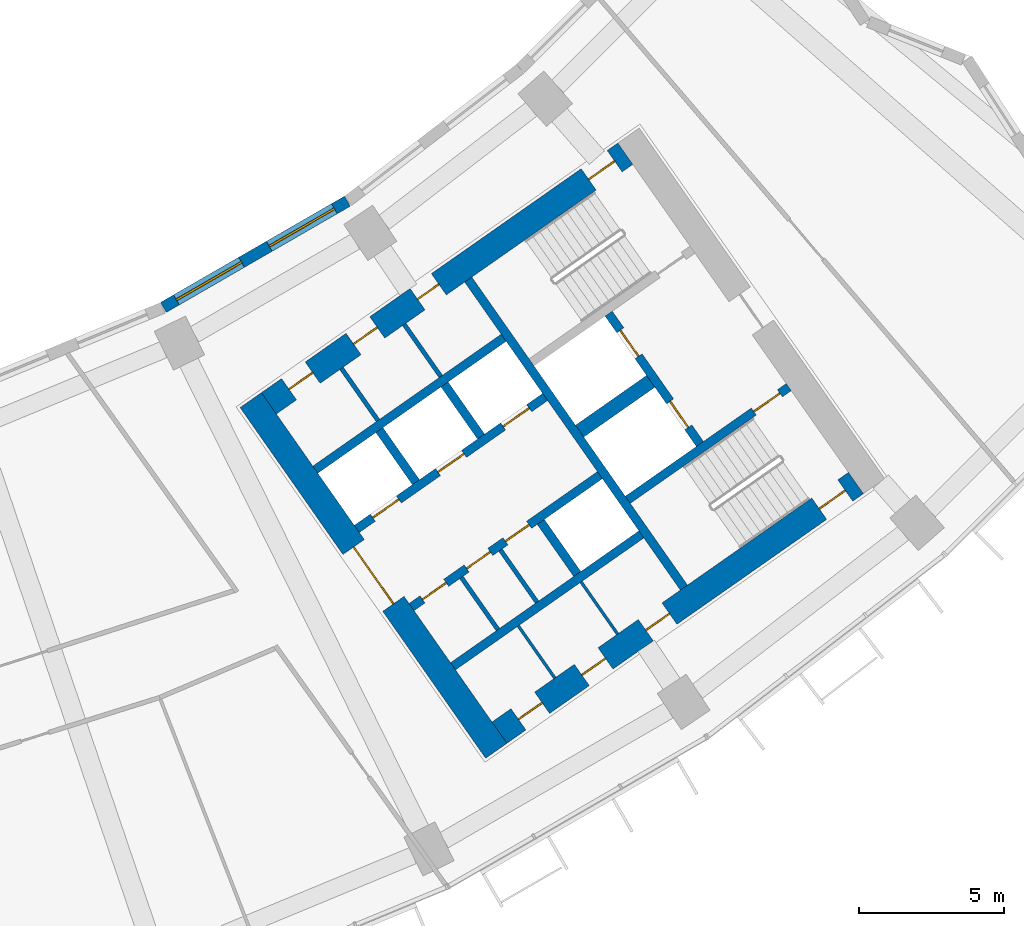
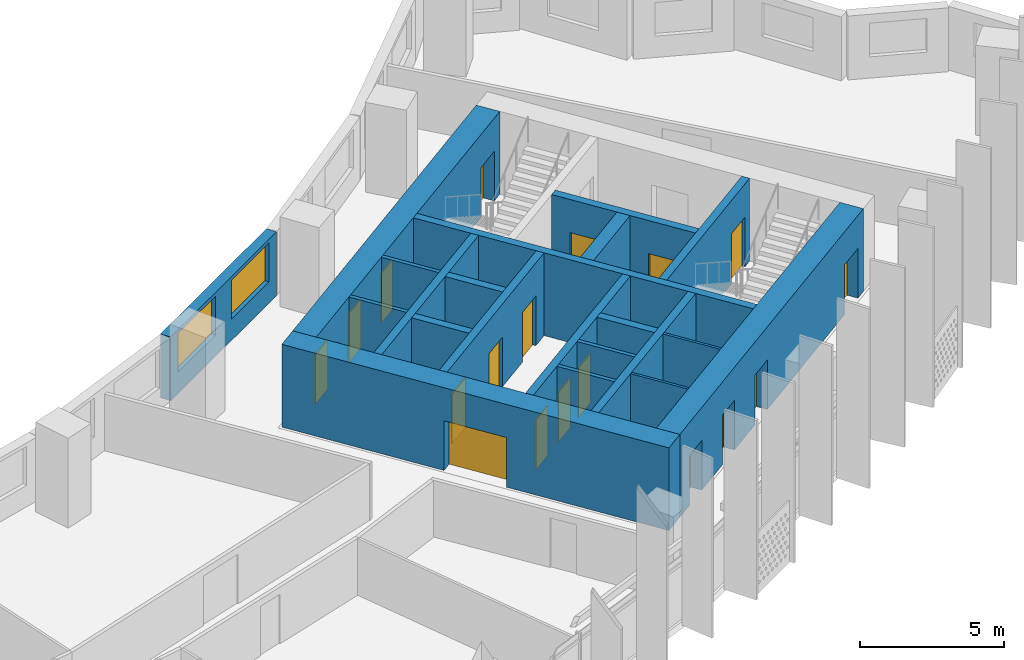
# One storey, part 7 of 30: 21 walls, 18 doors, 2 windows, 20 openings.
"""IFC4 building model written with IfcOpenShell, lengths in metres."""

from ifc_helpers import new_model, si_unit, direction, frame, frame_2d, origin, place, context, subcontext, project, spatial, rectangle, extrude, material, layer, layer_set, type_object, element, fill, save


model = new_model("IFC4")

# Units and contexts
model_context = context("Model", 3, precision=1e-05, world=origin(), true_north=direction((0.0, 1.0)))
body_context = subcontext(model_context, "Body", "Model", "MODEL_VIEW")
ifc_project = project(units=[si_unit("LENGTHUNIT", "METRE"), si_unit("AREAUNIT", "SQUARE_METRE"), si_unit("VOLUMEUNIT", "CUBIC_METRE"), si_unit("PLANEANGLEUNIT", "RADIAN"), si_unit("MASSUNIT", "GRAM", prefix="KILO")], contexts=[model_context])

# Site, building, storey
site_placement = place(None, origin())
site = spatial("IfcSite", under=ifc_project, at=site_placement, CompositionType="ELEMENT")
building_placement = place(site_placement, origin())
building = spatial("IfcBuilding", under=site, at=building_placement, Name="Qamariyya Broadcast Tower", CompositionType="ELEMENT")
storey_placement = place(building_placement, frame((0.0, 0.0, 110.10009765625)))
storey = spatial("IfcBuildingStorey", under=building, at=storey_placement, Name="L24", CompositionType="ELEMENT", Elevation=110.10009765625)

# Wall, opening, door
ifc_material_1 = material(Name="Concrete C70/85", Category="concrete")
ifc_layer_1 = layer(ifc_material_1, 0.89990234375)
ifc_layer_set_1 = layer_set([ifc_layer_1], Name="Core wall 900 mm Concrete C70/85")
wall_type_1 = type_object("IfcWallType", Name="Core wall 900 mm Concrete C70/85", PredefinedType="SHEAR", material=ifc_layer_set_1)
wall_1_placement = place(storey_placement, frame((36.716796875, -66.3369140625, 0.0), z_axis=(0.0, 0.0, 1.0), x_axis=(-0.573577477574, 0.819151315216, 0.0)))
wall_1 = element("IfcWall", 1, at=wall_1_placement, inside=storey, type_object=wall_type_1, Name="k-E-L24-WA", PredefinedType="SHEAR", context=body_context, shape_type="SweptSolid", body=[
    extrude(rectangle(XDim=14.800048828125, YDim=0.89990234375, at=frame_2d((7.39990234375, 0.0))), origin(), (0.0, 0.0, 1.0), 3.5),
])
opening_1_placement = place(wall_1_placement, frame((6.199951171875, 0.0, 0.0)))
opening_1 = element("IfcOpeningElement", 2, at=opening_1_placement, cuts=wall_1, Name="Opening KD3-E1", PredefinedType="OPENING", context=body_context, shape_type="SweptSolid", body=[
    extrude(rectangle(XDim=2.39990234375, YDim=2.10009765625, at=frame_2d((1.199951171875, 1.050048828125))), frame((0.0, 0.4599609375, 0.0), z_axis=(0.0, -1.0, 0.0), x_axis=(1.0, 0.0, 0.0)), (0.0, 0.0, 1.0), 0.919921875),
])
ifc_material_2 = material(Name="Steel fire-resisting door leaf", Category="steel")
door_type_1 = type_object("IfcDoorType", Name="Lift lobby door KD3", OperationType="DOUBLE_DOOR_SINGLE_SWING", PredefinedType="DOOR", material=ifc_material_2)
door_1_placement = place(opening_1_placement, origin())
door_1 = element("IfcDoor", 3, at=door_1_placement, inside=storey, type_object=door_type_1, Name="k-E-L24-WA-D1", OperationType="DOUBLE_DOOR_SINGLE_SWING", OverallHeight=2.10009765625, OverallWidth=2.39990234375, PredefinedType="DOOR", context=body_context, shape_type="SweptSolid", body=[
    extrude(rectangle(XDim=2.39990234375, YDim=2.10009765625, at=frame_2d((1.199951171875, 1.050048828125))), frame((0.0, 0.02490234375, 0.0), z_axis=(0.0, -1.0, 0.0), x_axis=(1.0, 0.0, 0.0)), (0.0, 0.0, 1.0), 0.050048828125),
])
fill(opening_1, door_1)

# Wall, openings, doors
wall_2_placement = place(storey_placement, frame((28.8544921875, -54.32421875, 0.0), z_axis=(0.0, 0.0, 1.0), x_axis=(0.819145767589, 0.573585400304, 0.0)))
wall_2 = element("IfcWall", 4, at=wall_2_placement, inside=storey, type_object=wall_type_1, Name="k-E-L24-WI", PredefinedType="SHEAR", context=body_context, shape_type="SweptSolid", body=[
    extrude(rectangle(XDim=15.04541015625, YDim=0.89990234375, at=frame_2d((7.522705078125, 0.0))), origin(), (0.0, 0.0, 1.0), 3.5),
])
opening_2_placement = place(wall_2_placement, frame((0.85009765625, 0.0, 0.0)))
opening_2 = element("IfcOpeningElement", 5, at=opening_2_placement, cuts=wall_2, Name="Opening KD6-E3", PredefinedType="OPENING", context=body_context, shape_type="SweptSolid", body=[
    extrude(rectangle(XDim=1.0, YDim=2.10009765625, at=frame_2d((0.5, 1.050048828125))), frame((0.0, 0.4599609375, 0.0), z_axis=(0.0, -1.0, 0.0), x_axis=(1.0, 0.0, 0.0)), (0.0, 0.0, 1.0), 0.919921875),
])
opening_3_placement = place(wall_2_placement, frame((3.574951171875, 0.0, 0.0)))
opening_3 = element("IfcOpeningElement", 6, at=opening_3_placement, cuts=wall_2, Name="Opening KD7-E1", PredefinedType="OPENING", context=body_context, shape_type="SweptSolid", body=[
    extrude(rectangle(XDim=1.0, YDim=2.10009765625, at=frame_2d((0.5, 1.050048828125))), frame((0.0, 0.4599609375, 0.0), z_axis=(0.0, -1.0, 0.0), x_axis=(1.0, 0.0, 0.0)), (0.0, 0.0, 1.0), 0.919921875),
])
opening_4_placement = place(wall_2_placement, frame((6.27490234375, 0.0, 0.0)))
opening_4 = element("IfcOpeningElement", 7, at=opening_4_placement, cuts=wall_2, Name="Opening KD5-E1", PredefinedType="OPENING", context=body_context, shape_type="SweptSolid", body=[
    extrude(rectangle(XDim=0.89990234375, YDim=2.10009765625, at=frame_2d((0.449951171875, 1.050048828125))), frame((0.0, 0.4599609375, 0.0), z_axis=(0.0, -1.0, 0.0), x_axis=(1.0, 0.0, 0.0)), (0.0, 0.0, 1.0), 0.919921875),
])
opening_5_placement = place(wall_2_placement, frame((13.495361328125, 0.0, 0.0)))
opening_5 = element("IfcOpeningElement", 8, at=opening_5_placement, cuts=wall_2, Name="Opening KD1-E1", PredefinedType="OPENING", context=body_context, shape_type="SweptSolid", body=[
    extrude(rectangle(XDim=1.10009765625, YDim=2.10009765625, at=frame_2d((0.550048828125, 1.050048828125))), frame((0.0, 0.4599609375, 0.0), z_axis=(0.0, -1.0, 0.0), x_axis=(1.0, 0.0, 0.0)), (0.0, 0.0, 1.0), 0.919921875),
])
door_type_2 = type_object("IfcDoorType", Name="Accessible toilet door KD7", OperationType="SINGLE_SWING_LEFT", PredefinedType="DOOR", material=ifc_material_2)
door_2_placement = place(opening_3_placement, origin())
door_2 = element("IfcDoor", 9, at=door_2_placement, inside=storey, type_object=door_type_2, Name="k-E-L24-WI-D9", OperationType="SINGLE_SWING_LEFT", OverallHeight=2.10009765625, OverallWidth=1.0, PredefinedType="DOOR", context=body_context, shape_type="SweptSolid", body=[
    extrude(rectangle(XDim=1.0, YDim=2.10009765625, at=frame_2d((0.5, 1.050048828125))), frame((0.0, 0.02490234375, 0.0), z_axis=(0.0, -1.0, 0.0), x_axis=(1.0, 0.0, 0.0)), (0.0, 0.0, 1.0), 0.050048828125),
])
fill(opening_3, door_2)
door_type_3 = type_object("IfcDoorType", Name="Core room door KD6", OperationType="SINGLE_SWING_LEFT", PredefinedType="DOOR", material=ifc_material_2)
door_3_placement = place(opening_2_placement, origin())
door_3 = element("IfcDoor", 10, at=door_3_placement, inside=storey, type_object=door_type_3, Name="k-E-L24-WI-D8", OperationType="SINGLE_SWING_RIGHT", OverallHeight=2.10009765625, OverallWidth=1.0, PredefinedType="DOOR", context=body_context, shape_type="SweptSolid", body=[
    extrude(rectangle(XDim=1.0, YDim=2.10009765625, at=frame_2d((0.5, 1.050048828125))), frame((0.0, 0.02490234375, 0.0), z_axis=(0.0, -1.0, 0.0), x_axis=(1.0, 0.0, 0.0)), (0.0, 0.0, 1.0), 0.050048828125),
])
fill(opening_2, door_3)
door_type_4 = type_object("IfcDoorType", Name="Stair door KD1", OperationType="SINGLE_SWING_LEFT", PredefinedType="DOOR", material=ifc_material_2)
door_4_placement = place(opening_5_placement, origin())
door_4 = element("IfcDoor", 11, at=door_4_placement, inside=storey, type_object=door_type_4, Name="k-E-L24-WI-D17", OperationType="SINGLE_SWING_RIGHT", OverallHeight=2.10009765625, OverallWidth=1.10009765625, PredefinedType="DOOR", context=body_context, shape_type="SweptSolid", body=[
    extrude(rectangle(XDim=1.10009765625, YDim=2.10009765625, at=frame_2d((0.550048828125, 1.050048828125))), frame((0.0, 0.02490234375, 0.0), z_axis=(0.0, -1.0, 0.0), x_axis=(1.0, 0.0, 0.0)), (0.0, 0.0, 1.0), 0.050048828125),
])
fill(opening_5, door_4)
door_type_5 = type_object("IfcDoorType", Name="Toilet door KD5", OperationType="SINGLE_SWING_LEFT", PredefinedType="DOOR", material=ifc_material_2)
door_5_placement = place(opening_4_placement, origin())
door_5 = element("IfcDoor", 12, at=door_5_placement, inside=storey, type_object=door_type_5, Name="k-E-L24-WI-D10", OperationType="SINGLE_SWING_RIGHT", OverallHeight=2.10009765625, OverallWidth=0.89990234375, PredefinedType="DOOR", context=body_context, shape_type="SweptSolid", body=[
    extrude(rectangle(XDim=0.89990234375, YDim=2.10009765625, at=frame_2d((0.449951171875, 1.050048828125))), frame((0.0, 0.02490234375, 0.0), z_axis=(0.0, -1.0, 0.0), x_axis=(1.0, 0.0, 0.0)), (0.0, 0.0, 1.0), 0.050048828125),
])
fill(opening_4, door_5)

wall_3_placement = place(storey_placement, frame((36.827392578125, -65.710205078125, 0.0), z_axis=(0.0, 0.0, 1.0), x_axis=(0.819153391756, 0.573574511963, 0.0)))
wall_3 = element("IfcWall", 13, at=wall_3_placement, inside=storey, type_object=wall_type_1, Name="k-E-L24-WO", PredefinedType="SHEAR", context=body_context, shape_type="SweptSolid", body=[
    extrude(rectangle(XDim=15.04541015625, YDim=0.89990234375, at=frame_2d((7.522705078125, 0.0))), origin(), (0.0, 0.0, 1.0), 3.5),
])
opening_6_placement = place(wall_3_placement, frame((0.800048828125, 0.0, 0.0)))
opening_6 = element("IfcOpeningElement", 14, at=opening_6_placement, cuts=wall_3, Name="Opening KD4-E2", PredefinedType="OPENING", context=body_context, shape_type="SweptSolid", body=[
    extrude(rectangle(XDim=1.0, YDim=2.10009765625, at=frame_2d((0.5, 1.050048828125))), frame((0.0, 0.4599609375, 0.0), z_axis=(0.0, -1.0, 0.0), x_axis=(1.0, 0.0, 0.0)), (0.0, 0.0, 1.0), 0.919921875),
])
opening_7_placement = place(wall_3_placement, frame((3.47509765625, 0.0, 0.0)))
opening_7 = element("IfcOpeningElement", 15, at=opening_7_placement, cuts=wall_3, Name="Opening KD4-E3", PredefinedType="OPENING", context=body_context, shape_type="SweptSolid", body=[
    extrude(rectangle(XDim=1.0, YDim=2.10009765625, at=frame_2d((0.5, 1.050048828125))), frame((0.0, 0.4599609375, 0.0), z_axis=(0.0, -1.0, 0.0), x_axis=(1.0, 0.0, 0.0)), (0.0, 0.0, 1.0), 0.919921875),
])
opening_8_placement = place(wall_3_placement, frame((6.175048828125, 0.0, 0.0)))
opening_8 = element("IfcOpeningElement", 16, at=opening_8_placement, cuts=wall_3, Name="Opening KD4-E4", PredefinedType="OPENING", context=body_context, shape_type="SweptSolid", body=[
    extrude(rectangle(XDim=1.0, YDim=2.10009765625, at=frame_2d((0.5, 1.050048828125))), frame((0.0, 0.4599609375, 0.0), z_axis=(0.0, -1.0, 0.0), x_axis=(1.0, 0.0, 0.0)), (0.0, 0.0, 1.0), 0.919921875),
])
opening_9_placement = place(wall_3_placement, frame((13.495361328125, 0.0, 0.0)))
opening_9 = element("IfcOpeningElement", 17, at=opening_9_placement, cuts=wall_3, Name="Opening KD1-E3", PredefinedType="OPENING", context=body_context, shape_type="SweptSolid", body=[
    extrude(rectangle(XDim=1.10009765625, YDim=2.10009765625, at=frame_2d((0.550048828125, 1.050048828125))), frame((0.0, 0.4599609375, 0.0), z_axis=(0.0, -1.0, 0.0), x_axis=(1.0, 0.0, 0.0)), (0.0, 0.0, 1.0), 0.919921875),
])
door_type_6 = type_object("IfcDoorType", Name="Riser and plant door KD4", OperationType="SINGLE_SWING_LEFT", PredefinedType="DOOR", material=ifc_material_2)
door_6_placement = place(opening_6_placement, origin())
door_6 = element("IfcDoor", 18, at=door_6_placement, inside=storey, type_object=door_type_6, Name="k-E-L24-WO-D11", OperationType="SINGLE_SWING_LEFT", OverallHeight=2.10009765625, OverallWidth=1.0, PredefinedType="DOOR", context=body_context, shape_type="SweptSolid", body=[
    extrude(rectangle(XDim=1.0, YDim=2.10009765625, at=frame_2d((0.5, 1.050048828125))), frame((0.0, 0.02490234375, 0.0), z_axis=(0.0, -1.0, 0.0), x_axis=(1.0, 0.0, 0.0)), (0.0, 0.0, 1.0), 0.050048828125),
])
fill(opening_6, door_6)
door_7_placement = place(opening_7_placement, origin())
door_7 = element("IfcDoor", 19, at=door_7_placement, inside=storey, type_object=door_type_6, Name="k-E-L24-WO-D12", OperationType="SINGLE_SWING_RIGHT", OverallHeight=2.10009765625, OverallWidth=1.0, PredefinedType="DOOR", context=body_context, shape_type="SweptSolid", body=[
    extrude(rectangle(XDim=1.0, YDim=2.10009765625, at=frame_2d((0.5, 1.050048828125))), frame((0.0, 0.02490234375, 0.0), z_axis=(0.0, -1.0, 0.0), x_axis=(1.0, 0.0, 0.0)), (0.0, 0.0, 1.0), 0.050048828125),
])
fill(opening_7, door_7)
door_8_placement = place(opening_8_placement, origin())
door_8 = element("IfcDoor", 20, at=door_8_placement, inside=storey, type_object=door_type_6, Name="k-E-L24-WO-D13", OperationType="SINGLE_SWING_LEFT", OverallHeight=2.10009765625, OverallWidth=1.0, PredefinedType="DOOR", context=body_context, shape_type="SweptSolid", body=[
    extrude(rectangle(XDim=1.0, YDim=2.10009765625, at=frame_2d((0.5, 1.050048828125))), frame((0.0, 0.02490234375, 0.0), z_axis=(0.0, -1.0, 0.0), x_axis=(1.0, 0.0, 0.0)), (0.0, 0.0, 1.0), 0.050048828125),
])
fill(opening_8, door_8)
door_9_placement = place(opening_9_placement, origin())
door_9 = element("IfcDoor", 21, at=door_9_placement, inside=storey, type_object=door_type_4, Name="k-E-L24-WO-D19", OperationType="SINGLE_SWING_LEFT", OverallHeight=2.10009765625, OverallWidth=1.10009765625, PredefinedType="DOOR", context=body_context, shape_type="SweptSolid", body=[
    extrude(rectangle(XDim=1.10009765625, YDim=2.10009765625, at=frame_2d((0.550048828125, 1.050048828125))), frame((0.0, 0.02490234375, 0.0), z_axis=(0.0, -1.0, 0.0), x_axis=(1.0, 0.0, 0.0)), (0.0, 0.0, 1.0), 0.050048828125),
])
fill(opening_9, door_9)

# Walls
ifc_material_3 = material(Name="Concrete C60/75", Category="concrete")
ifc_layer_2 = layer(ifc_material_3, 0.5)
ifc_layer_set_2 = layer_set([ifc_layer_2], Name="Fire-fighting lobby divider wall 500 mm Concrete C60/75")
wall_type_2 = type_object("IfcWallType", Name="Fire-fighting lobby divider wall 500 mm Concrete C60/75", PredefinedType="SOLIDWALL", material=ifc_layer_set_2)
wall_4_placement = place(storey_placement, frame((39.59912109375, -55.28515625, 0.0), z_axis=(0.0, 0.0, 1.0), x_axis=(0.819136323161, 0.573598887793, 0.0)))
element("IfcWall", 22, at=wall_4_placement, inside=storey, type_object=wall_type_2, Name="k-E-L24-FD", PredefinedType="SOLIDWALL", context=body_context, shape_type="SweptSolid", body=[
    extrude(rectangle(XDim=2.999755859375, YDim=0.5, at=frame_2d((1.5, 0.0))), origin(), (0.0, 0.0, 1.0), 3.5),
])
ifc_material_4 = material(Name="Gypsum board partition on steel studs", Category="steel")
ifc_layer_3 = layer(ifc_material_4, 0.14990234375)
ifc_layer_set_3 = layer_set([ifc_layer_3], Name="Gypsum board partition 150 mm")
wall_type_3 = type_object("IfcWallType", Name="Gypsum board partition 150 mm", PredefinedType="PARTITIONING", material=ifc_layer_set_3)
for number, where, z_axis, x_axis, name in (
    (23, (35.51171875, -60.344482421875, 0.0), (0.0, 0.0, 1.0), (0.573633636671, -0.819111989218, 0.0), "k-E-L24-SC200"),
    (24, (36.86328125, -59.398193359375, 0.0), (0.0, 0.0, 1.0), (0.573633636671, -0.819111989218, 0.0), "k-E-L24-SC365"),
    (25, (32.627197265625, -54.91748046875, 0.0), (0.0, 0.0, 1.0), (-0.573507030513, 0.819200638399, 0.0), "k-E-L24-NP275"),
    (26, (34.798095703125, -53.3974609375, 0.0), (0.0, 0.0, 1.0), (-0.573633636671, 0.819111989218, 0.0), "k-E-L24-NP540"),
):
    element("IfcWall", number, at=place(storey_placement, frame(where, z_axis=z_axis, x_axis=x_axis)), inside=storey, type_object=wall_type_3, Name=name, PredefinedType="PARTITIONING", context=body_context, shape_type="SweptSolid", body=[
        extrude(rectangle(XDim=2.199951171875, YDim=0.14990234375, at=frame_2d((1.10009765625, 0.0))), origin(), (0.0, 0.0, 1.0), 3.5),
    ])
ifc_layer_4 = layer(ifc_material_3, 0.300048828125)
ifc_layer_set_4 = layer_set([ifc_layer_4], Name="Lift shaft wall 300 mm Concrete C60/75")
wall_type_4 = type_object("IfcWallType", Name="Lift shaft wall 300 mm Concrete C60/75", PredefinedType="SOLIDWALL", material=ifc_layer_set_4)
wall_5_placement = place(storey_placement, frame((43.204345703125, -60.69580078125, 0.0), z_axis=(0.0, 0.0, 1.0), x_axis=(-0.573571992966, 0.819155155563, 0.0)))
element("IfcWall", 27, at=wall_5_placement, inside=storey, type_object=wall_type_4, Name="k-E-L24-WL", PredefinedType="SOLIDWALL", context=body_context, shape_type="SweptSolid", body=[
    extrude(rectangle(XDim=13.000244140625, YDim=0.300048828125, at=frame_2d((6.5, 0.0))), origin(), (0.0, 0.0, 1.0), 3.5),
])

# Wall, openings, doors
wall_6_placement = place(storey_placement, frame((31.89453125, -58.66552734375, 0.0), z_axis=(0.0, 0.0, 1.0), x_axis=(0.819166993208, 0.573555086491, 0.0)))
wall_6 = element("IfcWall", 28, at=wall_6_placement, inside=storey, type_object=wall_type_4, Name="k-E-L24-NF0", PredefinedType="SOLIDWALL", context=body_context, shape_type="SweptSolid", body=[
    extrude(rectangle(XDim=7.9501953125, YDim=0.300048828125, at=frame_2d((3.97509765625, 0.0))), origin(), (0.0, 0.0, 1.0), 3.5),
])
opening_10_placement = place(wall_6_placement, frame((0.675048828125, 0.0, 0.0)))
opening_10 = element("IfcOpeningElement", 29, at=opening_10_placement, cuts=wall_6, Name="Opening LD", PredefinedType="OPENING", context=body_context, shape_type="SweptSolid", body=[
    extrude(rectangle(XDim=1.10009765625, YDim=2.10009765625, at=frame_2d((0.550048828125, 1.050048828125))), frame((0.0, 0.159912109375, 0.0), z_axis=(0.0, -1.0, 0.0), x_axis=(1.0, 0.0, 0.0)), (0.0, 0.0, 1.0), 0.320068359375),
])
opening_11_placement = place(wall_6_placement, frame((3.425048828125, 0.0, 0.0)))
opening_11 = element("IfcOpeningElement", 30, at=opening_11_placement, cuts=wall_6, Name="Opening LD", PredefinedType="OPENING", context=body_context, shape_type="SweptSolid", body=[
    extrude(rectangle(XDim=1.10009765625, YDim=2.10009765625, at=frame_2d((0.550048828125, 1.050048828125))), frame((0.0, 0.159912109375, 0.0), z_axis=(0.0, -1.0, 0.0), x_axis=(1.0, 0.0, 0.0)), (0.0, 0.0, 1.0), 0.320068359375),
])
opening_12_placement = place(wall_6_placement, frame((6.175048828125, 0.0, 0.0)))
opening_12 = element("IfcOpeningElement", 31, at=opening_12_placement, cuts=wall_6, Name="Opening LD", PredefinedType="OPENING", context=body_context, shape_type="SweptSolid", body=[
    extrude(rectangle(XDim=1.10009765625, YDim=2.10009765625, at=frame_2d((0.550048828125, 1.050048828125))), frame((0.0, 0.159912109375, 0.0), z_axis=(0.0, -1.0, 0.0), x_axis=(1.0, 0.0, 0.0)), (0.0, 0.0, 1.0), 0.320068359375),
])
door_type_7 = type_object("IfcDoorType", Name="Lift landing door LD", OperationType="DOUBLE_DOOR_SLIDING", PredefinedType="DOOR", material=ifc_material_2)
door_10_placement = place(opening_10_placement, origin())
door_10 = element("IfcDoor", 32, at=door_10_placement, inside=storey, type_object=door_type_7, Name="k-E-L24-NF0-D2", OperationType="DOUBLE_DOOR_SLIDING", OverallHeight=2.10009765625, OverallWidth=1.10009765625, PredefinedType="DOOR", context=body_context, shape_type="SweptSolid", body=[
    extrude(rectangle(XDim=1.10009765625, YDim=2.10009765625, at=frame_2d((0.550048828125, 1.050048828125))), frame((0.0, 0.02490234375, 0.0), z_axis=(0.0, -1.0, 0.0), x_axis=(1.0, 0.0, 0.0)), (0.0, 0.0, 1.0), 0.050048828125),
])
fill(opening_10, door_10)
door_11_placement = place(opening_11_placement, origin())
door_11 = element("IfcDoor", 33, at=door_11_placement, inside=storey, type_object=door_type_7, Name="k-E-L24-NF0-D3", OperationType="DOUBLE_DOOR_SLIDING", OverallHeight=2.10009765625, OverallWidth=1.10009765625, PredefinedType="DOOR", context=body_context, shape_type="SweptSolid", body=[
    extrude(rectangle(XDim=1.10009765625, YDim=2.10009765625, at=frame_2d((0.550048828125, 1.050048828125))), frame((0.0, 0.02490234375, 0.0), z_axis=(0.0, -1.0, 0.0), x_axis=(1.0, 0.0, 0.0)), (0.0, 0.0, 1.0), 0.050048828125),
])
fill(opening_11, door_11)
door_12_placement = place(opening_12_placement, origin())
door_12 = element("IfcDoor", 34, at=door_12_placement, inside=storey, type_object=door_type_7, Name="k-E-L24-NF0-D4", OperationType="DOUBLE_DOOR_SLIDING", OverallHeight=2.10009765625, OverallWidth=1.10009765625, PredefinedType="DOOR", context=body_context, shape_type="SweptSolid", body=[
    extrude(rectangle(XDim=1.10009765625, YDim=2.10009765625, at=frame_2d((0.550048828125, 1.050048828125))), frame((0.0, 0.02490234375, 0.0), z_axis=(0.0, -1.0, 0.0), x_axis=(1.0, 0.0, 0.0)), (0.0, 0.0, 1.0), 0.050048828125),
])
fill(opening_12, door_12)

# Walls
wall_7_placement = place(storey_placement, frame((30.460693359375, -56.61767578125, 0.0), z_axis=(0.0, 0.0, 1.0), x_axis=(0.819142461705, 0.573590121456, 0.0)))
element("IfcWall", 35, at=wall_7_placement, inside=storey, type_object=wall_type_4, Name="k-E-L24-NB0", PredefinedType="SOLIDWALL", context=body_context, shape_type="SweptSolid", body=[
    extrude(rectangle(XDim=7.949951171875, YDim=0.300048828125, at=frame_2d((3.97509765625, 0.0))), origin(), (0.0, 0.0, 1.0), 3.5),
])
wall_8_placement = place(storey_placement, frame((33.9384765625, -57.051513671875, 0.0), z_axis=(0.0, 0.0, 1.0), x_axis=(-0.573581496053, 0.819148501424, 0.0)))
element("IfcWall", 36, at=wall_8_placement, inside=storey, type_object=wall_type_4, Name="k-E-L24-ND0", PredefinedType="SOLIDWALL", context=body_context, shape_type="SweptSolid", body=[
    extrude(rectangle(XDim=2.2001953125, YDim=0.300048828125, at=frame_2d((1.10009765625, 0.0))), origin(), (0.0, 0.0, 1.0), 3.5),
])
wall_9_placement = place(storey_placement, frame((36.19091796875, -55.47412109375, 0.0), z_axis=(0.0, 0.0, 1.0), x_axis=(-0.573507030513, 0.819200638399, 0.0)))
element("IfcWall", 37, at=wall_9_placement, inside=storey, type_object=wall_type_4, Name="k-E-L24-ND1", PredefinedType="SOLIDWALL", context=body_context, shape_type="SweptSolid", body=[
    extrude(rectangle(XDim=2.199951171875, YDim=0.300048828125, at=frame_2d((1.10009765625, 0.0))), origin(), (0.0, 0.0, 1.0), 3.5),
])

# Wall, openings, doors
wall_10_placement = place(storey_placement, frame((33.787353515625, -61.368896484375, 0.0), z_axis=(0.0, 0.0, 1.0), x_axis=(0.819152564888, 0.573575692858, 0.0)))
wall_10 = element("IfcWall", 38, at=wall_10_placement, inside=storey, type_object=wall_type_4, Name="k-E-L24-SF0", PredefinedType="SOLIDWALL", context=body_context, shape_type="SweptSolid", body=[
    extrude(rectangle(XDim=7.9501953125, YDim=0.300048828125, at=frame_2d((3.97509765625, 0.0))), origin(), (0.0, 0.0, 1.0), 3.5),
])
opening_13_placement = place(wall_10_placement, frame((0.46240234375, 0.0, 0.0)))
opening_13 = element("IfcOpeningElement", 39, at=opening_13_placement, cuts=wall_10, Name="Opening KD6-E1", PredefinedType="OPENING", context=body_context, shape_type="SweptSolid", body=[
    extrude(rectangle(XDim=1.0, YDim=2.10009765625, at=frame_2d((0.5, 1.050048828125))), frame((0.0, 0.159912109375, 0.0), z_axis=(0.0, -1.0, 0.0), x_axis=(1.0, 0.0, 0.0)), (0.0, 0.0, 1.0), 0.320068359375),
])
opening_14_placement = place(wall_10_placement, frame((2.324951171875, 0.0, 0.0)))
opening_14 = element("IfcOpeningElement", 40, at=opening_14_placement, cuts=wall_10, Name="Opening KD4-E1", PredefinedType="OPENING", context=body_context, shape_type="SweptSolid", body=[
    extrude(rectangle(XDim=1.0, YDim=2.10009765625, at=frame_2d((0.5, 1.050048828125))), frame((0.0, 0.159912109375, 0.0), z_axis=(0.0, -1.0, 0.0), x_axis=(1.0, 0.0, 0.0)), (0.0, 0.0, 1.0), 0.320068359375),
])
opening_15_placement = place(wall_10_placement, frame((3.96240234375, 0.0, 0.0)))
opening_15 = element("IfcOpeningElement", 41, at=opening_15_placement, cuts=wall_10, Name="Opening KD6-E2", PredefinedType="OPENING", context=body_context, shape_type="SweptSolid", body=[
    extrude(rectangle(XDim=1.0, YDim=2.10009765625, at=frame_2d((0.5, 1.050048828125))), frame((0.0, 0.159912109375, 0.0), z_axis=(0.0, -1.0, 0.0), x_axis=(1.0, 0.0, 0.0)), (0.0, 0.0, 1.0), 0.320068359375),
])
door_13_placement = place(opening_13_placement, origin())
door_13 = element("IfcDoor", 42, at=door_13_placement, inside=storey, type_object=door_type_3, Name="k-E-L24-SF0-D5", OperationType="SINGLE_SWING_LEFT", OverallHeight=2.10009765625, OverallWidth=1.0, PredefinedType="DOOR", context=body_context, shape_type="SweptSolid", body=[
    extrude(rectangle(XDim=1.0, YDim=2.10009765625, at=frame_2d((0.5, 1.050048828125))), frame((0.0, 0.02490234375, 0.0), z_axis=(0.0, -1.0, 0.0), x_axis=(1.0, 0.0, 0.0)), (0.0, 0.0, 1.0), 0.050048828125),
])
fill(opening_13, door_13)
door_14_placement = place(opening_15_placement, origin())
door_14 = element("IfcDoor", 43, at=door_14_placement, inside=storey, type_object=door_type_3, Name="k-E-L24-SF0-D7", OperationType="SINGLE_SWING_LEFT", OverallHeight=2.10009765625, OverallWidth=1.0, PredefinedType="DOOR", context=body_context, shape_type="SweptSolid", body=[
    extrude(rectangle(XDim=1.0, YDim=2.10009765625, at=frame_2d((0.5, 1.050048828125))), frame((0.0, 0.02490234375, 0.0), z_axis=(0.0, -1.0, 0.0), x_axis=(1.0, 0.0, 0.0)), (0.0, 0.0, 1.0), 0.050048828125),
])
fill(opening_15, door_14)
door_15_placement = place(opening_14_placement, origin())
door_15 = element("IfcDoor", 44, at=door_15_placement, inside=storey, type_object=door_type_6, Name="k-E-L24-SF0-D6", OperationType="SINGLE_SWING_RIGHT", OverallHeight=2.10009765625, OverallWidth=1.0, PredefinedType="DOOR", context=body_context, shape_type="SweptSolid", body=[
    extrude(rectangle(XDim=1.0, YDim=2.10009765625, at=frame_2d((0.5, 1.050048828125))), frame((0.0, 0.02490234375, 0.0), z_axis=(0.0, -1.0, 0.0), x_axis=(1.0, 0.0, 0.0)), (0.0, 0.0, 1.0), 0.050048828125),
])
fill(opening_14, door_15)

# Walls
wall_11_placement = place(storey_placement, frame((35.22119140625, -63.41650390625, 0.0), z_axis=(0.0, 0.0, 1.0), x_axis=(0.819166993208, 0.573555086491, 0.0)))
element("IfcWall", 45, at=wall_11_placement, inside=storey, type_object=wall_type_4, Name="k-E-L24-SB0", PredefinedType="SOLIDWALL", context=body_context, shape_type="SweptSolid", body=[
    extrude(rectangle(XDim=7.9501953125, YDim=0.300048828125, at=frame_2d((3.97509765625, 0.0))), origin(), (0.0, 0.0, 1.0), 3.5),
])
wall_12_placement = place(storey_placement, frame((38.255859375, -58.423095703125, 0.0), z_axis=(0.0, 0.0, 1.0), x_axis=(0.573633636671, -0.819111989218, 0.0)))
element("IfcWall", 46, at=wall_12_placement, inside=storey, type_object=wall_type_4, Name="k-E-L24-SD1", PredefinedType="SOLIDWALL", context=body_context, shape_type="SweptSolid", body=[
    extrude(rectangle(XDim=2.199951171875, YDim=0.300048828125, at=frame_2d((1.10009765625, 0.0))), origin(), (0.0, 0.0, 1.0), 3.5),
])

# Wall, opening, door
wall_13_placement = place(storey_placement, frame((41.262451171875, -57.66064453125, 0.0), z_axis=(0.0, 0.0, 1.0), x_axis=(0.819164398642, 0.573558792102, 0.0)))
wall_13 = element("IfcWall", 47, at=wall_13_placement, inside=storey, type_object=wall_type_4, Name="k-E-L24-SW", PredefinedType="SOLIDWALL", context=body_context, shape_type="SweptSolid", body=[
    extrude(rectangle(XDim=6.795166015625, YDim=0.300048828125, at=frame_2d((3.3974609375, 0.0))), origin(), (0.0, 0.0, 1.0), 3.5),
])
opening_16_placement = place(wall_13_placement, frame((5.3203125, 0.0, 0.0)))
opening_16 = element("IfcOpeningElement", 48, at=opening_16_placement, cuts=wall_13, Name="Opening KD1-E4", PredefinedType="OPENING", context=body_context, shape_type="SweptSolid", body=[
    extrude(rectangle(XDim=1.10009765625, YDim=2.10009765625, at=frame_2d((0.550048828125, 1.050048828125))), frame((0.0, 0.159912109375, 0.0), z_axis=(0.0, -1.0, 0.0), x_axis=(1.0, 0.0, 0.0)), (0.0, 0.0, 1.0), 0.320068359375),
])
door_16_placement = place(opening_16_placement, origin())
door_16 = element("IfcDoor", 49, at=door_16_placement, inside=storey, type_object=door_type_4, Name="k-E-L24-SW-D20", OperationType="SINGLE_SWING_RIGHT", OverallHeight=2.10009765625, OverallWidth=1.10009765625, PredefinedType="DOOR", context=body_context, shape_type="SweptSolid", body=[
    extrude(rectangle(XDim=1.10009765625, YDim=2.10009765625, at=frame_2d((0.550048828125, 1.050048828125))), frame((0.0, 0.02490234375, 0.0), z_axis=(0.0, -1.0, 0.0), x_axis=(1.0, 0.0, 0.0)), (0.0, 0.0, 1.0), 0.050048828125),
])
fill(opening_16, door_16)

# Wall, openings, doors
wall_14_placement = place(storey_placement, frame((43.756591796875, -55.731201171875, 0.0), z_axis=(0.0, 0.0, 1.0), x_axis=(-0.573536818435, 0.819179783625, 0.0)))
wall_14 = element("IfcWall", 50, at=wall_14_placement, inside=storey, type_object=wall_type_4, Name="k-E-L24-FF", PredefinedType="SOLIDWALL", context=body_context, shape_type="SweptSolid", body=[
    extrude(rectangle(XDim=5.500244140625, YDim=0.300048828125, at=frame_2d((2.75, 0.0))), origin(), (0.0, 0.0, 1.0), 3.5),
])
opening_17_placement = place(wall_14_placement, frame((0.699951171875, 0.0, 0.0)))
opening_17 = element("IfcOpeningElement", 51, at=opening_17_placement, cuts=wall_14, Name="Opening LD", PredefinedType="OPENING", context=body_context, shape_type="SweptSolid", body=[
    extrude(rectangle(XDim=1.10009765625, YDim=2.10009765625, at=frame_2d((0.550048828125, 1.050048828125))), frame((0.0, 0.159912109375, 0.0), z_axis=(0.0, -1.0, 0.0), x_axis=(1.0, 0.0, 0.0)), (0.0, 0.0, 1.0), 0.320068359375),
])
opening_18_placement = place(wall_14_placement, frame((3.699951171875, 0.0, 0.0)))
opening_18 = element("IfcOpeningElement", 52, at=opening_18_placement, cuts=wall_14, Name="Opening LD", PredefinedType="OPENING", context=body_context, shape_type="SweptSolid", body=[
    extrude(rectangle(XDim=1.10009765625, YDim=2.10009765625, at=frame_2d((0.550048828125, 1.050048828125))), frame((0.0, 0.159912109375, 0.0), z_axis=(0.0, -1.0, 0.0), x_axis=(1.0, 0.0, 0.0)), (0.0, 0.0, 1.0), 0.320068359375),
])
door_17_placement = place(opening_17_placement, origin())
door_17 = element("IfcDoor", 53, at=door_17_placement, inside=storey, type_object=door_type_7, Name="k-E-L24-FF-D14", OperationType="DOUBLE_DOOR_SLIDING", OverallHeight=2.10009765625, OverallWidth=1.10009765625, PredefinedType="DOOR", context=body_context, shape_type="SweptSolid", body=[
    extrude(rectangle(XDim=1.10009765625, YDim=2.10009765625, at=frame_2d((0.550048828125, 1.050048828125))), frame((0.0, 0.02490234375, 0.0), z_axis=(0.0, -1.0, 0.0), x_axis=(1.0, 0.0, 0.0)), (0.0, 0.0, 1.0), 0.050048828125),
])
fill(opening_17, door_17)
door_18_placement = place(opening_18_placement, origin())
door_18 = element("IfcDoor", 54, at=door_18_placement, inside=storey, type_object=door_type_7, Name="k-E-L24-FF-D15", OperationType="DOUBLE_DOOR_SLIDING", OverallHeight=2.10009765625, OverallWidth=1.10009765625, PredefinedType="DOOR", context=body_context, shape_type="SweptSolid", body=[
    extrude(rectangle(XDim=1.10009765625, YDim=2.10009765625, at=frame_2d((0.550048828125, 1.050048828125))), frame((0.0, 0.02490234375, 0.0), z_axis=(0.0, -1.0, 0.0), x_axis=(1.0, 0.0, 0.0)), (0.0, 0.0, 1.0), 0.050048828125),
])
fill(opening_18, door_18)

# Walls
ifc_material_5 = material(Name="Fire-rated gypsum shaft liner on steel studs", Category="steel")
ifc_layer_5 = layer(ifc_material_5, 0.10009765625)
ifc_layer_set_5 = layer_set([ifc_layer_5], Name="Riser wall 100 mm")
wall_type_5 = type_object("IfcWallType", Name="Riser wall 100 mm", PredefinedType="PLUMBINGWALL", material=ifc_layer_set_5)
wall_15_placement = place(storey_placement, frame((37.47802734375, -62.01953125, 0.0), z_axis=(0.0, 0.0, 1.0), x_axis=(0.573581496053, -0.819148501424, 0.0)))
element("IfcWall", 55, at=wall_15_placement, inside=storey, type_object=wall_type_5, Name="k-E-L24-SP265", PredefinedType="PLUMBINGWALL", context=body_context, shape_type="SweptSolid", body=[
    extrude(rectangle(XDim=2.2001953125, YDim=0.10009765625, at=frame_2d((1.10009765625, 0.0))), origin(), (0.0, 0.0, 1.0), 3.5),
])
wall_16_placement = place(storey_placement, frame((39.64892578125, -60.49951171875, 0.0), z_axis=(0.0, 0.0, 1.0), x_axis=(0.573507030513, -0.819200638399, 0.0)))
element("IfcWall", 56, at=wall_16_placement, inside=storey, type_object=wall_type_5, Name="k-E-L24-SP530", PredefinedType="PLUMBINGWALL", context=body_context, shape_type="SweptSolid", body=[
    extrude(rectangle(XDim=2.199951171875, YDim=0.10009765625, at=frame_2d((1.10009765625, 0.0))), origin(), (0.0, 0.0, 1.0), 3.5),
])

# Wall, openings, windows
ifc_material_6 = material(Name="Terracotta", Category="masonry")
ifc_layer_6 = layer(ifc_material_6, 0.39990234375)
ifc_layer_set_6 = layer_set([ifc_layer_6], Name="Terracotta clad wall 400")
wall_type_6 = type_object("IfcWallType", Name="Terracotta clad wall 400", PredefinedType="SOLIDWALL", material=ifc_layer_set_6)
wall_17_placement = place(storey_placement, frame((31.568359375, -47.33642578125, 0.0), z_axis=(0.0, 0.0, 1.0), x_axis=(-0.866030525931, -0.499991128077, 0.0)))
wall_17 = element("IfcWall", 57, at=wall_17_placement, inside=storey, type_object=wall_type_6, Name="e-wl-L24-in130", PredefinedType="SOLIDWALL", context=body_context, shape_type="SweptSolid", body=[
    extrude(rectangle(XDim=7.341552734375, YDim=0.39990234375, at=frame_2d((3.6708984375, 0.0))), origin(), (0.0, 0.0, 1.0), 2.699951171875),
])
opening_19_placement = place(wall_17_placement, frame((4.224853515625, 0.0, 0.89990234375)))
opening_19 = element("IfcOpeningElement", 58, at=opening_19_placement, cuts=wall_17, Name="Opening W1", PredefinedType="OPENING", context=body_context, shape_type="SweptSolid", body=[
    extrude(rectangle(XDim=2.60009765625, YDim=1.64990234375, at=frame_2d((1.300048828125, 0.824951171875))), frame((0.0, 0.2099609375, 0.0), z_axis=(0.0, -1.0, 0.0), x_axis=(1.0, 0.0, 0.0)), (0.0, 0.0, 1.0), 0.419921875),
])
opening_20_placement = place(wall_17_placement, frame((0.5166015625, 0.0, 0.89990234375)))
opening_20 = element("IfcOpeningElement", 59, at=opening_20_placement, cuts=wall_17, Name="Opening W1", PredefinedType="OPENING", context=body_context, shape_type="SweptSolid", body=[
    extrude(rectangle(XDim=2.60009765625, YDim=1.64990234375, at=frame_2d((1.300048828125, 0.824951171875))), frame((0.0, 0.2099609375, 0.0), z_axis=(0.0, -1.0, 0.0), x_axis=(1.0, 0.0, 0.0)), (0.0, 0.0, 1.0), 0.419921875),
])
ifc_material_7 = material(Name="Clear low-e double glazed unit in aluminium frame", Category="aluminium")
window_type = type_object("IfcWindowType", Name="Ribbon window 2600 x 1650", PartitioningType="SINGLE_PANEL", PredefinedType="WINDOW", material=ifc_material_7)
window_1_placement = place(opening_19_placement, origin())
window_1 = element("IfcWindow", 60, at=window_1_placement, inside=storey, type_object=window_type, Name="e-w-L24-in13-0", OverallHeight=1.64990234375, OverallWidth=2.60009765625, PartitioningType="SINGLE_PANEL", PredefinedType="WINDOW", context=body_context, shape_type="SweptSolid", body=[
    extrude(rectangle(XDim=2.60009765625, YDim=1.64990234375, at=frame_2d((1.300048828125, 0.824951171875))), frame((0.0, 0.030029296875, 0.0), z_axis=(0.0, -1.0, 0.0), x_axis=(1.0, 0.0, 0.0)), (0.0, 0.0, 1.0), 0.06005859375),
])
fill(opening_19, window_1)
window_2_placement = place(opening_20_placement, origin())
window_2 = element("IfcWindow", 61, at=window_2_placement, inside=storey, type_object=window_type, Name="e-w-L24-in13-1", OverallHeight=1.64990234375, OverallWidth=2.60009765625, PartitioningType="SINGLE_PANEL", PredefinedType="WINDOW", context=body_context, shape_type="SweptSolid", body=[
    extrude(rectangle(XDim=2.60009765625, YDim=1.64990234375, at=frame_2d((1.300048828125, 0.824951171875))), frame((0.0, 0.030029296875, 0.0), z_axis=(0.0, -1.0, 0.0), x_axis=(1.0, 0.0, 0.0)), (0.0, 0.0, 1.0), 0.06005859375),
])
fill(opening_20, window_2)

save(model, "model.ifc")
